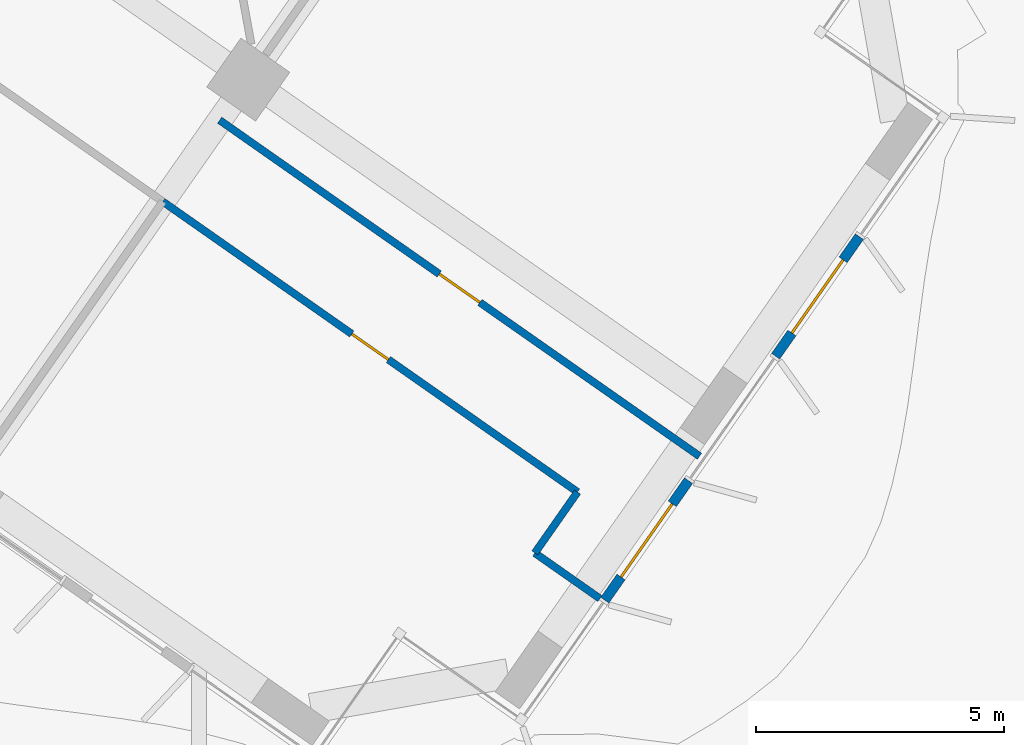
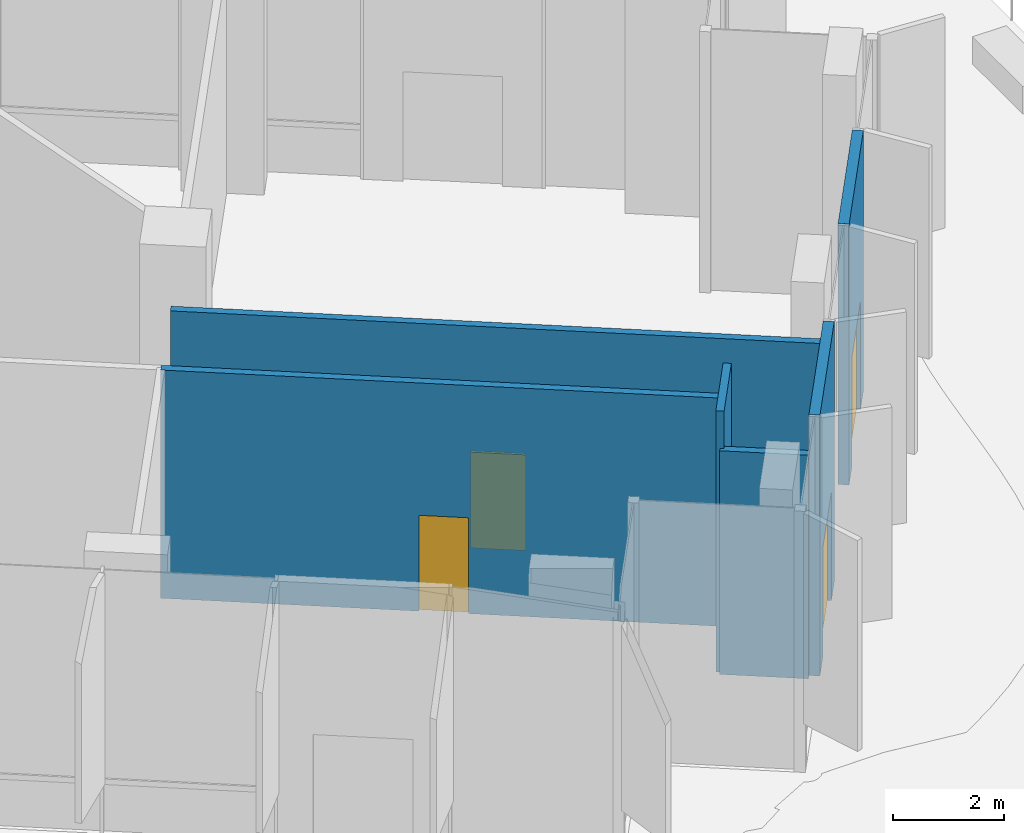
# One storey, part 17 of 27: 6 walls, 4 doors, 4 openings.
"""IFC4 building model written with IfcOpenShell, lengths in metres."""

from ifc_helpers import new_model, si_unit, direction, frame, frame_2d, origin, place, context, subcontext, project, spatial, rectangle, extrude, material, layer, layer_set, type_object, element, fill, save


model = new_model("IFC4")

# Units and contexts
model_context = context("Model", 3, precision=1e-05, world=origin(), true_north=direction((0.0, 1.0)))
body_context = subcontext(model_context, "Body", "Model", "MODEL_VIEW")
ifc_project = project(units=[si_unit("LENGTHUNIT", "METRE"), si_unit("AREAUNIT", "SQUARE_METRE"), si_unit("VOLUMEUNIT", "CUBIC_METRE"), si_unit("PLANEANGLEUNIT", "RADIAN"), si_unit("MASSUNIT", "GRAM", prefix="KILO")], contexts=[model_context])

# Site, building, storey
site_placement = place(None, origin())
site = spatial("IfcSite", under=ifc_project, at=site_placement, CompositionType="ELEMENT")
building_placement = place(site_placement, origin())
building = spatial("IfcBuilding", under=site, at=building_placement, Name="Tel Ilan Convention Tower", CompositionType="ELEMENT")
storey_placement = place(building_placement, frame((0.0, 0.0, 48.5)))
storey = spatial("IfcBuildingStorey", under=building, at=storey_placement, Name="L07", CompositionType="ELEMENT", Elevation=48.5)

# Wall, opening, door
ifc_material_1 = material(Name="Plasterboard on Steel Studs", Category="steel")
ifc_layer_1 = layer(ifc_material_1, 0.14990234375)
ifc_layer_set_1 = layer_set([ifc_layer_1], Name="Fire-rated Partition 150 EI 60")
wall_type_1 = type_object("IfcWallType", Name="Fire-rated Partition 150 EI 60", PredefinedType="PARTITIONING", material=ifc_layer_set_1)
wall_1_placement = place(storey_placement, frame((28.914306640625, -21.466796875, 0.0), z_axis=(0.0, 0.0, 1.0), x_axis=(0.81915027628, -0.573578961322, 0.0)))
wall_1 = element("IfcWall", 1, at=wall_1_placement, inside=storey, type_object=wall_type_1, Name="Partition 001", PredefinedType="PARTITIONING", context=body_context, shape_type="SweptSolid", body=[
    extrude(rectangle(XDim=11.8017578125, YDim=0.14990234375, at=frame_2d((5.90087890625, 0.0))), origin(), (0.0, 0.0, 1.0), 4.89990234375),
])
opening_1_placement = place(wall_1_placement, frame((5.40087890625, 0.0, 0.0)))
opening_1 = element("IfcOpeningElement", 2, at=opening_1_placement, cuts=wall_1, Name="Opening L07-007", PredefinedType="OPENING", context=body_context, shape_type="SweptSolid", body=[
    extrude(rectangle(XDim=1.0, YDim=2.10009765625, at=frame_2d((0.5, 1.050048828125))), frame((0.0, 0.0849609375, 0.0), z_axis=(0.0, -1.0, 0.0), x_axis=(1.0, 0.0, 0.0)), (0.0, 0.0, 1.0), 0.169921875),
])
ifc_material_2 = material(Name="Timber Door Leaf in Steel Frame", Category="steel")
door_type_1 = type_object("IfcDoorType", Name="Plant Room Fire Door 1000x2100", OperationType="NOTDEFINED", PredefinedType="DOOR", material=ifc_material_2)
door_1_placement = place(opening_1_placement, origin())
door_1 = element("IfcDoor", 3, at=door_1_placement, inside=storey, type_object=door_type_1, Name="Door L07-007", OperationType="SINGLE_SWING_RIGHT", OverallHeight=2.10009765625, OverallWidth=1.0, PredefinedType="DOOR", context=body_context, shape_type="SweptSolid", body=[
    extrude(rectangle(XDim=1.0, YDim=2.10009765625, at=frame_2d((0.5, 1.050048828125))), frame((0.0, 0.02490234375, 0.0), z_axis=(0.0, -1.0, 0.0), x_axis=(1.0, 0.0, 0.0)), (0.0, 0.0, 1.0), 0.050048828125),
])
fill(opening_1, door_1)

# Walls
wall_2_placement = place(storey_placement, frame((36.574462890625, -31.10302734375, 0.0), z_axis=(0.0, 0.0, 1.0), x_axis=(-0.819131543282, 0.57360571371, 0.0)))
element("IfcWall", 4, at=wall_2_placement, inside=storey, type_object=wall_type_1, Name="Partition 004", PredefinedType="PARTITIONING", context=body_context, shape_type="SweptSolid", body=[
    extrude(rectangle(XDim=1.599853515625, YDim=0.14990234375, at=frame_2d((0.7998046875, 0.0))), origin(), (0.0, 0.0, 1.0), 4.89990234375),
])
wall_3_placement = place(storey_placement, frame((35.263916015625, -30.185302734375, 0.0), z_axis=(0.0, 0.0, 1.0), x_axis=(0.573527897688, 0.819186029284, 0.0)))
element("IfcWall", 5, at=wall_3_placement, inside=storey, type_object=wall_type_1, Name="Partition 005", PredefinedType="PARTITIONING", context=body_context, shape_type="SweptSolid", body=[
    extrude(rectangle(XDim=1.499755859375, YDim=0.14990234375, at=frame_2d((0.75, 0.0))), origin(), (0.0, 0.0, 1.0), 5.719970703125),
])

# Wall, opening, door
wall_4_placement = place(storey_placement, frame((36.1240234375, -28.956787109375, 0.0), z_axis=(0.0, 0.0, 1.0), x_axis=(-0.819141970204, 0.573590823366, 0.0)))
wall_4 = element("IfcWall", 6, at=wall_4_placement, inside=storey, type_object=wall_type_1, Name="Partition 006", PredefinedType="PARTITIONING", context=body_context, shape_type="SweptSolid", body=[
    extrude(rectangle(XDim=10.2021484375, YDim=0.14990234375, at=frame_2d((5.10107421875, 0.0))), origin(), (0.0, 0.0, 1.0), 5.0),
])
opening_2_placement = place(wall_4_placement, frame((4.65087890625, 0.0, 0.0)))
opening_2 = element("IfcOpeningElement", 7, at=opening_2_placement, cuts=wall_4, Name="Opening L07-006", PredefinedType="OPENING", context=body_context, shape_type="SweptSolid", body=[
    extrude(rectangle(XDim=0.89990234375, YDim=2.10009765625, at=frame_2d((0.449951171875, 1.050048828125))), frame((0.0, 0.0849609375, 0.0), z_axis=(0.0, -1.0, 0.0), x_axis=(1.0, 0.0, 0.0)), (0.0, 0.0, 1.0), 0.169921875),
])
ifc_material_3 = material(Name="Timber Door Leaf in Steel Frame", Category="steel")
door_type_2 = type_object("IfcDoorType", Name="Room Fire Door 900x2100", OperationType="NOTDEFINED", PredefinedType="DOOR", material=ifc_material_3)
door_2_placement = place(opening_2_placement, origin())
door_2 = element("IfcDoor", 8, at=door_2_placement, inside=storey, type_object=door_type_2, Name="Door L07-006", OperationType="SINGLE_SWING_LEFT", OverallHeight=2.10009765625, OverallWidth=0.89990234375, PredefinedType="DOOR", context=body_context, shape_type="SweptSolid", body=[
    extrude(rectangle(XDim=0.89990234375, YDim=2.10009765625, at=frame_2d((0.449951171875, 1.050048828125))), frame((0.0, 0.02490234375, 0.0), z_axis=(0.0, -1.0, 0.0), x_axis=(1.0, 0.0, 0.0)), (0.0, 0.0, 1.0), 0.050048828125),
])
fill(opening_2, door_2)

ifc_material_4 = material(Name="Aluminium composite cladding, bronze anodised on steel studs", Category="steel")
ifc_layer_2 = layer(ifc_material_4, 0.199951171875)
ifc_layer_set_2 = layer_set([ifc_layer_2], Name="TERRACE DOOR BAY WALL 200")
wall_type_2 = type_object("IfcWallType", Name="TERRACE DOOR BAY WALL 200", PredefinedType="SOLIDWALL", material=ifc_layer_set_2)
wall_5_placement = place(storey_placement, frame((36.673583984375, -31.135986328125, 0.0), z_axis=(0.0, 0.0, 1.0), x_axis=(0.57354593704, 0.81917339929, 0.0)))
wall_5 = element("IfcWall", 9, at=wall_5_placement, inside=storey, type_object=wall_type_2, Name="Terrace door bay", PredefinedType="SOLIDWALL", context=body_context, shape_type="SweptSolid", body=[
    extrude(rectangle(XDim=2.940185546875, YDim=0.199951171875, at=frame_2d((1.47021484375, 0.0))), origin(), (0.0, 0.0, 1.0), 5.719970703125),
])
opening_3_placement = place(wall_5_placement, frame((0.570068359375, 0.0, 0.0)))
opening_3 = element("IfcOpeningElement", 10, at=opening_3_placement, cuts=wall_5, Name="Opening T07.09", PredefinedType="OPENING", context=body_context, shape_type="SweptSolid", body=[
    extrude(rectangle(XDim=1.800048828125, YDim=2.39990234375, at=frame_2d((0.89990234375, 1.199951171875))), frame((0.0, 0.10986328125, 0.0), z_axis=(0.0, -1.0, 0.0), x_axis=(1.0, 0.0, 0.0)), (0.0, 0.0, 1.0), 0.219970703125),
])
ifc_material_5 = material(Name="Aluminium framed glazed door, bronze anodised", Category="aluminium")
door_type_3 = type_object("IfcDoorType", Name="TERRACE DOUBLE DOOR 1800x2400", OperationType="NOTDEFINED", PredefinedType="DOOR", material=ifc_material_5)
door_3_placement = place(opening_3_placement, origin())
door_3 = element("IfcDoor", 11, at=door_3_placement, inside=storey, type_object=door_type_3, Name="Terrace door", OperationType="DOUBLE_DOOR_DOUBLE_SWING", OverallHeight=2.39990234375, OverallWidth=1.800048828125, PredefinedType="DOOR", context=body_context, shape_type="SweptSolid", body=[
    extrude(rectangle(XDim=1.800048828125, YDim=2.39990234375, at=frame_2d((0.89990234375, 1.199951171875))), frame((0.0, 0.02490234375, 0.0), z_axis=(0.0, -1.0, 0.0), x_axis=(1.0, 0.0, 0.0)), (0.0, 0.0, 1.0), 0.050048828125),
])
fill(opening_3, door_3)

wall_6_placement = place(storey_placement, frame((40.114990234375, -26.220947265625, 0.0), z_axis=(0.0, 0.0, 1.0), x_axis=(0.573584953252, 0.819146080625, 0.0)))
wall_6 = element("IfcWall", 12, at=wall_6_placement, inside=storey, type_object=wall_type_2, Name="Terrace door bay", PredefinedType="SOLIDWALL", context=body_context, shape_type="SweptSolid", body=[
    extrude(rectangle(XDim=2.93994140625, YDim=0.199951171875, at=frame_2d((1.469970703125, 0.0))), origin(), (0.0, 0.0, 1.0), 5.719970703125),
])
opening_4_placement = place(wall_6_placement, frame((0.570068359375, 0.0, 0.0)))
opening_4 = element("IfcOpeningElement", 13, at=opening_4_placement, cuts=wall_6, Name="Opening T07.10", PredefinedType="OPENING", context=body_context, shape_type="SweptSolid", body=[
    extrude(rectangle(XDim=1.800048828125, YDim=2.39990234375, at=frame_2d((0.89990234375, 1.199951171875))), frame((0.0, 0.10986328125, 0.0), z_axis=(0.0, -1.0, 0.0), x_axis=(1.0, 0.0, 0.0)), (0.0, 0.0, 1.0), 0.219970703125),
])
door_4_placement = place(opening_4_placement, origin())
door_4 = element("IfcDoor", 14, at=door_4_placement, inside=storey, type_object=door_type_3, Name="Terrace door", OperationType="DOUBLE_DOOR_DOUBLE_SWING", OverallHeight=2.39990234375, OverallWidth=1.800048828125, PredefinedType="DOOR", context=body_context, shape_type="SweptSolid", body=[
    extrude(rectangle(XDim=1.800048828125, YDim=2.39990234375, at=frame_2d((0.89990234375, 1.199951171875))), frame((0.0, 0.02490234375, 0.0), z_axis=(0.0, -1.0, 0.0), x_axis=(1.0, 0.0, 0.0)), (0.0, 0.0, 1.0), 0.050048828125),
])
fill(opening_4, door_4)

save(model, "model.ifc")
